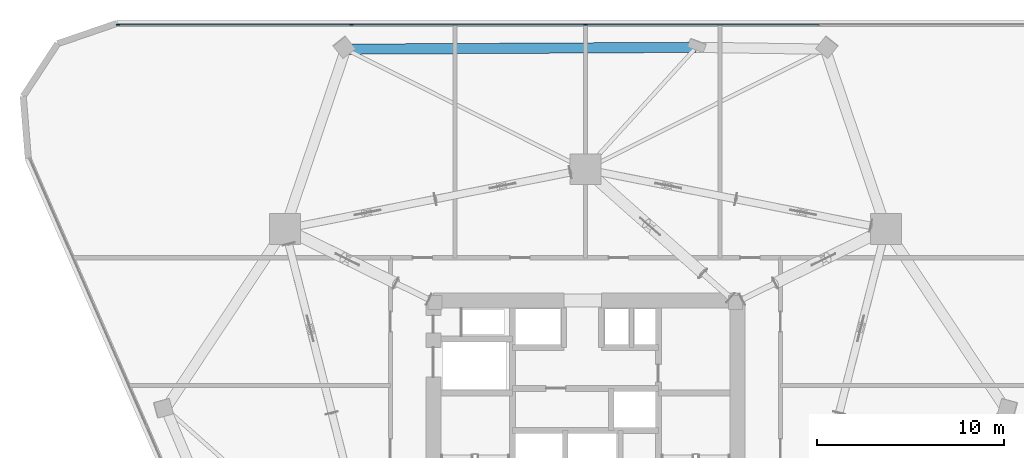
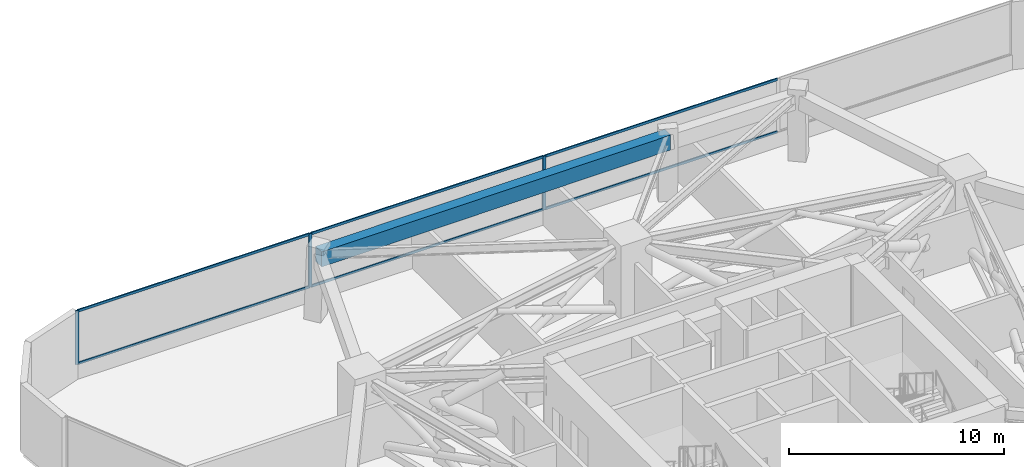
# One storey, part 8 of 15: 9 members, 1 beam, 1 element without a shape of its own.
"""IFC4 building model written with IfcOpenShell, lengths in metres."""

from ifc_helpers import new_model, si_unit, direction, frame, origin, origin_2d, place, context, subcontext, project, spatial, rectangle, extrude, material, layer, layer_set, material_profile, profile_set, type_object, element, aggregate, save


model = new_model("IFC4")

# Units and contexts
model_context = context("Model", 3, precision=1e-05, world=origin(), true_north=direction((0.0, 1.0)))
body_context = subcontext(model_context, "Body", "Model", "MODEL_VIEW")
ifc_project = project(units=[si_unit("LENGTHUNIT", "METRE"), si_unit("AREAUNIT", "SQUARE_METRE"), si_unit("VOLUMEUNIT", "CUBIC_METRE"), si_unit("PLANEANGLEUNIT", "RADIAN"), si_unit("MASSUNIT", "GRAM", prefix="KILO")], contexts=[model_context])

# Site, building, storey
site_placement = place(None, origin())
site = spatial("IfcSite", under=ifc_project, at=site_placement, CompositionType="ELEMENT")
building_placement = place(site_placement, origin())
building = spatial("IfcBuilding", under=site, at=building_placement, Name="Talyreon Biosciences Tower", CompositionType="ELEMENT")
storey_placement = place(building_placement, frame((0.0, 0.0, 118.800048828125)))
storey = spatial("IfcBuildingStorey", under=building, at=storey_placement, Name="L31", CompositionType="ELEMENT", Elevation=118.800048828125)

# Curtain wall, members
ifc_material_1 = material(Name="Thermally broken aluminium and low-E glazing", Category="aluminium")
ifc_layer = layer(ifc_material_1, 0.18994140625)
ifc_layer_set = layer_set([ifc_layer], Name="Thermally broken aluminium and low-E glazing")
curtain_wall_type = type_object("IfcCurtainWallType", Name="CurtainWall_Zone2Genomics", PredefinedType="NOTDEFINED", material=ifc_layer_set)
curtain_wall_placement = place(storey_placement, origin())
curtain_wall = element("IfcCurtainWall", 1, at=curtain_wall_placement, inside=storey, type_object=curtain_wall_type, Name="L31 Unitised Curtain Wall FCW-L31-04", PredefinedType="NOTDEFINED")
ifc_material_2 = material(Name="Anodised thermally broken aluminium", Category="aluminium")
ifc_material_profile_1 = material_profile(ifc_material_2, rectangle(XDim=0.06494140625, YDim=0.179931640625, at=origin_2d()), Name="ALUM MULLION 65x180")
ifc_profile_set_1 = profile_set([ifc_material_profile_1], Name="Anodised thermally broken aluminium")
member_type_1 = type_object("IfcMemberType", Name="CWMullion_65x180", PredefinedType="MULLION", material=ifc_profile_set_1)
member_1_placement = place(storey_placement, frame((40.944091796875, 89.539794921875, 0.81005859375), z_axis=(0.0, 0.0, 1.0), x_axis=(0.0, 1.0, 0.0)))
member_1 = element("IfcMember", 2, at=member_1_placement, type_object=member_type_1, Name="CW3 mullion 1", PredefinedType="MULLION", context=body_context, shape_type="SweptSolid", body=[
    extrude(rectangle(XDim=0.06494140625, YDim=0.179931640625, at=origin_2d()), origin(), (0.0, 0.0, 1.0), 3.039794921875),
])
member_2_placement = place(storey_placement, frame((53.455810546875, 89.539794921875, 0.81005859375), z_axis=(0.0, 0.0, 1.0), x_axis=(0.0, 1.0, 0.0)))
member_2 = element("IfcMember", 3, at=member_2_placement, type_object=member_type_1, Name="CW3 mullion 2", PredefinedType="MULLION", context=body_context, shape_type="SweptSolid", body=[
    extrude(rectangle(XDim=0.06494140625, YDim=0.179931640625, at=origin_2d()), origin(), (0.0, 0.0, 1.0), 3.039794921875),
])
member_3_placement = place(storey_placement, frame((66.0, 89.539794921875, 0.81005859375), z_axis=(0.0, 0.0, 1.0), x_axis=(0.0, 1.0, 0.0)))
member_3 = element("IfcMember", 4, at=member_3_placement, type_object=member_type_1, Name="CW3 mullion 3", PredefinedType="MULLION", context=body_context, shape_type="SweptSolid", body=[
    extrude(rectangle(XDim=0.06494140625, YDim=0.179931640625, at=origin_2d()), origin(), (0.0, 0.0, 1.0), 3.039794921875),
])
ifc_material_profile_2 = material_profile(ifc_material_2, rectangle(XDim=0.06494140625, YDim=0.139892578125, at=origin_2d()), Name="ALUM TRANSOM 65x140")
ifc_profile_set_2 = profile_set([ifc_material_profile_2], Name="Anodised thermally broken aluminium")
member_type_2 = type_object("IfcMemberType", Name="CWTransom_65x140", PredefinedType="USERDEFINED", material=ifc_profile_set_2)
member_4_placement = place(storey_placement, frame((40.9765625, 89.539794921875, 0.842529296875), z_axis=(1.0, 0.0, 0.0), x_axis=(0.0, 1.0, 0.0)))
member_4 = element("IfcMember", 5, at=member_4_placement, type_object=member_type_2, Name="CW3 transom 1.1", ObjectType="TRANSOM", PredefinedType="USERDEFINED", context=body_context, shape_type="SweptSolid", body=[
    extrude(rectangle(XDim=0.06494140625, YDim=0.139892578125, at=origin_2d()), origin(), (0.0, 0.0, 1.0), 12.44677734375),
])
member_5_placement = place(storey_placement, frame((40.9765625, 89.539794921875, 3.8173828125), z_axis=(1.0, 0.0, 0.0), x_axis=(0.0, 1.0, 0.0)))
member_5 = element("IfcMember", 6, at=member_5_placement, type_object=member_type_2, Name="CW3 transom 1.2", ObjectType="TRANSOM", PredefinedType="USERDEFINED", context=body_context, shape_type="SweptSolid", body=[
    extrude(rectangle(XDim=0.06494140625, YDim=0.139892578125, at=origin_2d()), origin(), (0.0, 0.0, 1.0), 12.44677734375),
])
member_6_placement = place(storey_placement, frame((53.48828125, 89.539794921875, 0.842529296875), z_axis=(1.0, 0.0, 0.0), x_axis=(0.0, 1.0, 0.0)))
member_6 = element("IfcMember", 7, at=member_6_placement, type_object=member_type_2, Name="CW3 transom 2.1", ObjectType="TRANSOM", PredefinedType="USERDEFINED", context=body_context, shape_type="SweptSolid", body=[
    extrude(rectangle(XDim=0.06494140625, YDim=0.139892578125, at=origin_2d()), origin(), (0.0, 0.0, 1.0), 12.479248046875),
])
member_7_placement = place(storey_placement, frame((53.48828125, 89.539794921875, 3.8173828125), z_axis=(1.0, 0.0, 0.0), x_axis=(0.0, 1.0, 0.0)))
member_7 = element("IfcMember", 8, at=member_7_placement, type_object=member_type_2, Name="CW3 transom 2.2", ObjectType="TRANSOM", PredefinedType="USERDEFINED", context=body_context, shape_type="SweptSolid", body=[
    extrude(rectangle(XDim=0.06494140625, YDim=0.139892578125, at=origin_2d()), origin(), (0.0, 0.0, 1.0), 12.479248046875),
])
member_8_placement = place(storey_placement, frame((66.032470703125, 89.539794921875, 0.842529296875), z_axis=(1.0, 0.0, 0.0), x_axis=(0.0, 1.0, 0.0)))
member_8 = element("IfcMember", 9, at=member_8_placement, type_object=member_type_2, Name="CW3 transom 3.1", ObjectType="TRANSOM", PredefinedType="USERDEFINED", context=body_context, shape_type="SweptSolid", body=[
    extrude(rectangle(XDim=0.06494140625, YDim=0.139892578125, at=origin_2d()), origin(), (0.0, 0.0, 1.0), 12.479248046875),
])
member_9_placement = place(storey_placement, frame((66.032470703125, 89.539794921875, 3.8173828125), z_axis=(1.0, 0.0, 0.0), x_axis=(0.0, 1.0, 0.0)))
member_9 = element("IfcMember", 10, at=member_9_placement, type_object=member_type_2, Name="CW3 transom 3.2", ObjectType="TRANSOM", PredefinedType="USERDEFINED", context=body_context, shape_type="SweptSolid", body=[
    extrude(rectangle(XDim=0.06494140625, YDim=0.139892578125, at=origin_2d()), origin(), (0.0, 0.0, 1.0), 12.479248046875),
])
aggregate(curtain_wall, [member_1, member_2, member_3, member_4, member_5, member_6, member_7, member_8, member_9])

# Beam
ifc_material_3 = material(Name="Precast concrete C45/55", Category="concrete")
ifc_material_profile_3 = material_profile(ifc_material_3, rectangle(XDim=0.550048828125, YDim=0.85009765625, at=origin_2d()), Name="RCB 550x850")
ifc_profile_set_3 = profile_set([ifc_material_profile_3], Name="Precast concrete C45/55")
beam_type = type_object("IfcBeamType", Name="ExpressedSpandrel_550x850", PredefinedType="SPANDREL", material=ifc_profile_set_3)
beam_placement = place(storey_placement, frame((71.930908203125, 88.3251953125, 3.425048828125), z_axis=(-0.999985866497, -0.005316653703, 0.0), x_axis=(0.005316653703, -0.999985866497, 0.0)))
element("IfcBeam", 11, at=beam_placement, inside=storey, type_object=beam_type, Name="L31 Expressed Horizontal Concrete Spandrel 07", PredefinedType="SPANDREL", context=body_context, shape_type="SweptSolid", body=[
    extrude(rectangle(XDim=0.550048828125, YDim=0.85009765625, at=origin_2d()), origin(), (0.0, 0.0, 1.0), 18.78125),
])

save(model, "model.ifc")
